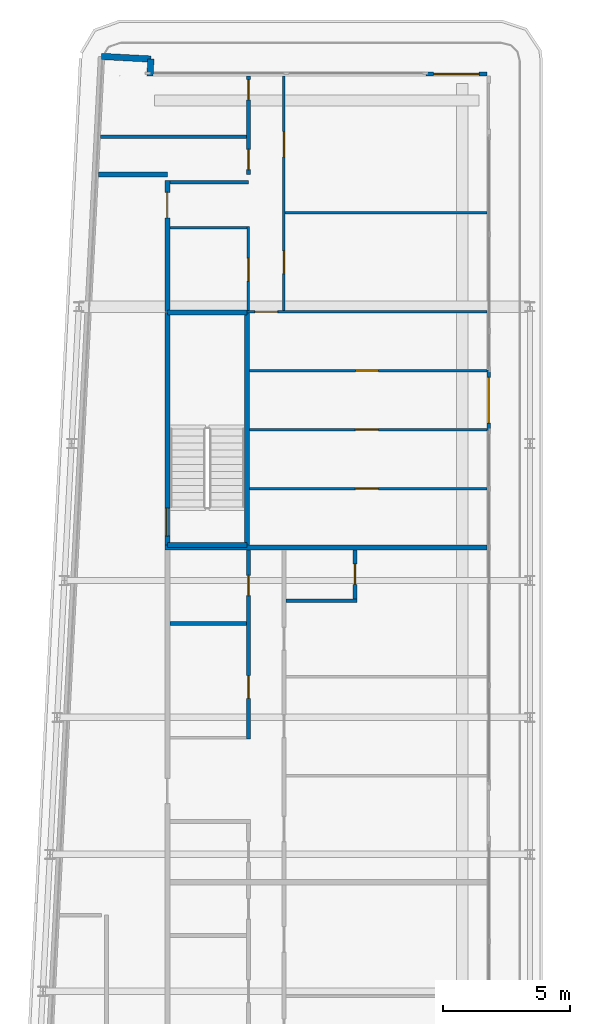
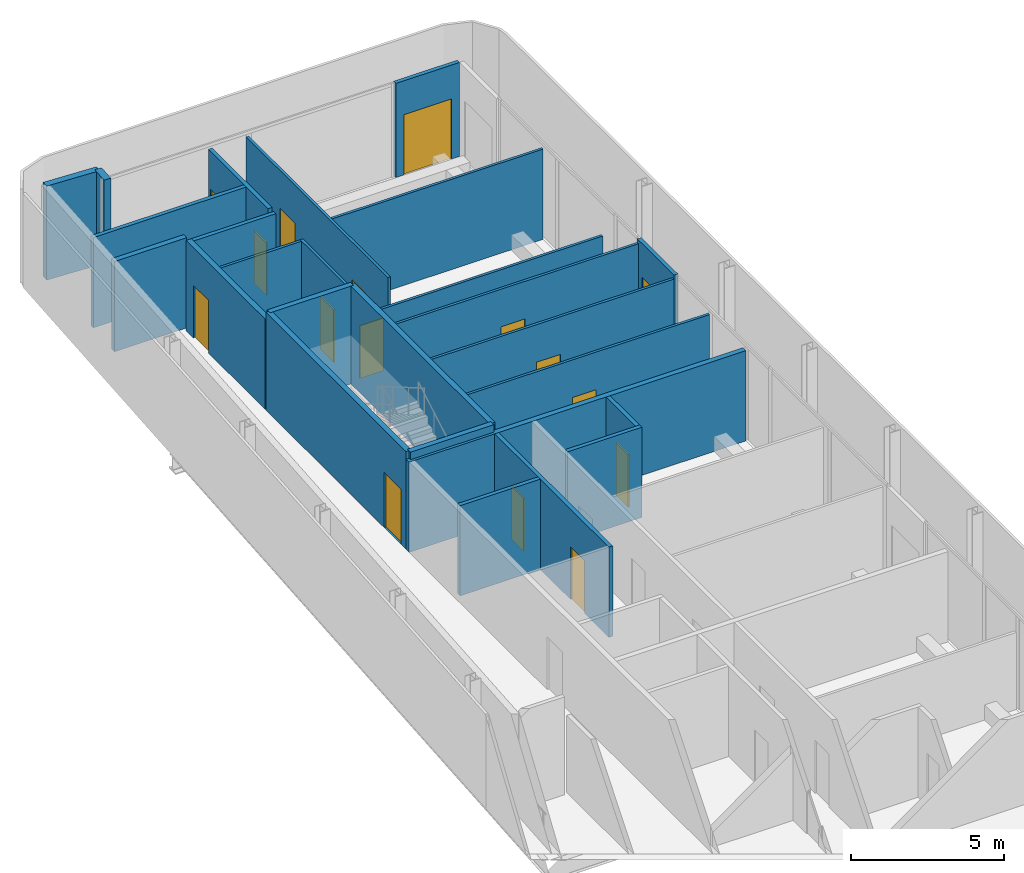
# One storey, part 14 of 21: 26 walls, 16 doors, 16 openings.
"""IFC4 building model written with IfcOpenShell, lengths in metres."""

from ifc_helpers import new_model, si_unit, direction, frame, frame_2d, origin, place, context, subcontext, project, spatial, rectangle, extrude, source, transform, mapped, material, layer, layer_set, type_object, element, fill, save


model = new_model("IFC4")

# Units and contexts
model_context = context("Model", 3, precision=1e-05, world=origin(), true_north=direction((0.0, 1.0)))
body_context = subcontext(model_context, "Body", "Model", "MODEL_VIEW")
ifc_project = project(units=[si_unit("LENGTHUNIT", "METRE"), si_unit("AREAUNIT", "SQUARE_METRE"), si_unit("VOLUMEUNIT", "CUBIC_METRE"), si_unit("PLANEANGLEUNIT", "RADIAN"), si_unit("MASSUNIT", "GRAM", prefix="KILO")], contexts=[model_context])

# Site, building, storey
site_placement = place(None, origin())
site = spatial("IfcSite", under=ifc_project, at=site_placement, CompositionType="ELEMENT")
building_placement = place(site_placement, origin())
building = spatial("IfcBuilding", under=site, at=building_placement, Name="Kheshtan School and Residences Tower", CompositionType="ELEMENT")
storey_placement = place(building_placement, frame((0.0, 0.0, 298.10009765625)))
storey = spatial("IfcBuildingStorey", under=building, at=storey_placement, Name="L70", CompositionType="ELEMENT", Elevation=298.10009765625)

# Wall
ifc_material_1 = material(Name="Gypsum board on steel studs with fire boards", Category="steel")
ifc_layer_1 = layer(ifc_material_1, 0.199951171875)
ifc_layer_set_1 = layer_set([ifc_layer_1], Name="Corridor wall 200")
wall_type_1 = type_object("IfcWallType", Name="Corridor wall 200", PredefinedType="PARTITIONING", material=ifc_layer_set_1)
wall_1_placement = place(storey_placement, frame((30.584716796875, 94.0, 0.0), z_axis=(0.0, 0.0, 1.0), x_axis=(1.0, 0.0, 0.0)))
element("IfcWall", 1, at=wall_1_placement, inside=storey, type_object=wall_type_1, Name="Partition L70-002", PredefinedType="PARTITIONING", context=body_context, shape_type="SweptSolid", body=[
    extrude(rectangle(XDim=2.71533203125, YDim=0.199951171875, at=frame_2d((1.357666015625, 0.0))), origin(), (0.0, 0.0, 1.0), 3.599853515625),
])

# Wall, opening, door
wall_2_placement = place(storey_placement, frame((33.300048828125, 88.60009765625, 0.0), z_axis=(0.0, 0.0, 1.0), x_axis=(0.0, 1.0, 0.0)))
wall_2 = element("IfcWall", 2, at=wall_2_placement, inside=storey, type_object=wall_type_1, Name="Partition L70-005", PredefinedType="PARTITIONING", context=body_context, shape_type="SweptSolid", body=[
    extrude(rectangle(XDim=5.1748046875, YDim=0.199951171875, at=frame_2d((2.58740234375, 0.0))), origin(), (0.0, 0.0, 1.0), 3.599853515625),
])
opening_1_placement = place(wall_2_placement, frame((3.699951171875, 0.0, 0.0)))
opening_1 = element("IfcOpeningElement", 3, at=opening_1_placement, cuts=wall_2, Name="Opening D70-028", PredefinedType="OPENING", context=body_context, shape_type="SweptSolid", body=[
    extrude(rectangle(XDim=1.0, YDim=2.10009765625, at=frame_2d((0.5, 1.050048828125))), frame((0.0, 0.10986328125, 0.0), z_axis=(0.0, -1.0, 0.0), x_axis=(1.0, 0.0, 0.0)), (0.0, 0.0, 1.0), 0.219970703125),
])
ifc_material_2 = material(Name="Steel-framed fire-resisting door leaf", Category="steel")
door_type_1 = type_object("IfcDoorType", Name="Fire door FD30S 1000 x 2100", OperationType="SINGLE_SWING_LEFT", PredefinedType="DOOR", material=ifc_material_2)
shared_shape_1 = source(origin(), body_context, "Body", "SweptSolid", [
    extrude(rectangle(XDim=1.0, YDim=2.10009765625, at=frame_2d((0.5, 1.050048828125))), frame((0.0, 0.02490234375, 0.0), z_axis=(0.0, -1.0, 0.0), x_axis=(1.0, 0.0, 0.0)), (0.0, 0.0, 1.0), 0.050048828125),
])
door_1_placement = place(opening_1_placement, origin())
door_1 = element("IfcDoor", 4, at=door_1_placement, inside=storey, type_object=door_type_1, Name="Door D70-028", OperationType="SINGLE_SWING_RIGHT", OverallHeight=2.10009765625, OverallWidth=1.0, PredefinedType="DOOR", context=body_context, shape_type="MappedRepresentation", body=[
    mapped(shared_shape_1, transform((0.0, 0.0, 0.0), x_axis=(1.0, 0.0, 0.0), y_axis=(0.0, 1.0, 0.0), z_axis=(0.0, 0.0, 1.0), scale=1.0)),
])
fill(opening_1, door_1)

# Walls
ifc_material_3 = material(Name="Concrete C40/50 with ceramic cladding and mineral wool insulation", Category="concrete")
ifc_layer_2 = layer(ifc_material_3, 0.25)
ifc_layer_set_2 = layer_set([ifc_layer_2], Name="External wall 250 ceramic clad")
wall_type_2 = type_object("IfcWallType", Name="External wall 250 ceramic clad", PredefinedType="SOLIDWALL", material=ifc_layer_set_2)
wall_3_placement = place(storey_placement, frame((30.705078125, 98.6640625, 0.0), z_axis=(0.0, 0.0, 1.0), x_axis=(0.998577785791, -0.053314216913, 0.0)))
element("IfcWall", 5, at=wall_3_placement, inside=storey, type_object=wall_type_2, Name="External wall L70 5", PredefinedType="SOLIDWALL", context=body_context, shape_type="SweptSolid", body=[
    extrude(rectangle(XDim=1.95068359375, YDim=0.25, at=frame_2d((0.975341796875, 0.0))), origin(), (0.0, 0.0, 1.0), 3.75),
])
wall_4_placement = place(storey_placement, frame((32.653076171875, 98.56005859375, 0.0), z_axis=(0.0, 0.0, 1.0), x_axis=(-0.054093451632, -0.998535877418, 0.0)))
element("IfcWall", 6, at=wall_4_placement, inside=storey, type_object=wall_type_2, Name="External wall L70 6", PredefinedType="SOLIDWALL", context=body_context, shape_type="SweptSolid", body=[
    extrude(rectangle(XDim=0.66796875, YDim=0.25, at=frame_2d((0.333984375, 0.0))), origin(), (0.0, 0.0, 1.0), 3.75),
])

# Wall, opening, door
ifc_material_4 = material(Name="Aluminium frame wall with insulated infill", Category="aluminium")
ifc_layer_3 = layer(ifc_material_4, 0.14990234375)
ifc_layer_set_3 = layer_set([ifc_layer_3], Name="Glazing frame wall 150")
wall_type_3 = type_object("IfcWallType", Name="Glazing frame wall 150", PredefinedType="SOLIDWALL", material=ifc_layer_set_3)
wall_5_placement = place(storey_placement, frame((43.5, 97.97509765625, 0.0), z_axis=(0.0, 0.0, 1.0), x_axis=(1.0, 0.0, 0.0)))
wall_5 = element("IfcWall", 7, at=wall_5_placement, inside=storey, type_object=wall_type_3, Name="Balcony door wall L70 7.1", PredefinedType="SOLIDWALL", context=body_context, shape_type="SweptSolid", body=[
    extrude(rectangle(XDim=2.39990234375, YDim=0.14990234375, at=frame_2d((1.199951171875, 0.0))), origin(), (0.0, 0.0, 1.0), 3.75),
])
opening_2_placement = place(wall_5_placement, frame((0.300048828125, 0.0, 0.0)))
opening_2 = element("IfcOpeningElement", 8, at=opening_2_placement, cuts=wall_5, Name="Opening BD", PredefinedType="OPENING", context=body_context, shape_type="SweptSolid", body=[
    extrude(rectangle(XDim=1.800048828125, YDim=2.39990234375, at=frame_2d((0.89990234375, 1.199951171875))), frame((0.0, 0.0849609375, 0.0), z_axis=(0.0, -1.0, 0.0), x_axis=(1.0, 0.0, 0.0)), (0.0, 0.0, 1.0), 0.169921875),
])
ifc_material_5 = material(Name="Clear low-e glass in thermally broken aluminium frame", Category="aluminium")
door_type_2 = type_object("IfcDoorType", Name="Balcony sliding door", OperationType="SLIDING_TO_LEFT", PredefinedType="DOOR", material=ifc_material_5)
shared_shape_2 = source(origin(), body_context, "Body", "SweptSolid", [
    extrude(rectangle(XDim=1.800048828125, YDim=2.39990234375, at=frame_2d((0.89990234375, 1.199951171875))), frame((0.0, 0.02490234375, 0.0), z_axis=(0.0, -1.0, 0.0), x_axis=(1.0, 0.0, 0.0)), (0.0, 0.0, 1.0), 0.050048828125),
])
door_2_placement = place(opening_2_placement, origin())
door_2 = element("IfcDoor", 9, at=door_2_placement, inside=storey, type_object=door_type_2, Name="Balcony door L70 7.1", OperationType="SLIDING_TO_LEFT", OverallHeight=2.39990234375, OverallWidth=1.800048828125, PredefinedType="DOOR", context=body_context, shape_type="MappedRepresentation", body=[
    mapped(shared_shape_2, transform((0.0, 0.0, 0.0), x_axis=(1.0, 0.0, 0.0), y_axis=(0.0, 1.0, 0.0), z_axis=(0.0, 0.0, 1.0), scale=1.0)),
])
fill(opening_2, door_2)

wall_6_placement = place(storey_placement, frame((45.97509765625, 86.305908203125, 0.0), z_axis=(0.0, 0.0, 1.0), x_axis=(0.0, -1.0, 0.0)))
wall_6 = element("IfcWall", 10, at=wall_6_placement, inside=storey, type_object=wall_type_3, Name="Balcony door wall L70 8.2", PredefinedType="SOLIDWALL", context=body_context, shape_type="SweptSolid", body=[
    extrude(rectangle(XDim=2.39990234375, YDim=0.14990234375, at=frame_2d((1.199951171875, 0.0))), origin(), (0.0, 0.0, 1.0), 3.75),
])
opening_3_placement = place(wall_6_placement, frame((0.300048828125, 0.0, 0.0)))
opening_3 = element("IfcOpeningElement", 11, at=opening_3_placement, cuts=wall_6, Name="Opening BD", PredefinedType="OPENING", context=body_context, shape_type="SweptSolid", body=[
    extrude(rectangle(XDim=1.800048828125, YDim=2.39990234375, at=frame_2d((0.89990234375, 1.199951171875))), frame((0.0, 0.0849609375, 0.0), z_axis=(0.0, -1.0, 0.0), x_axis=(1.0, 0.0, 0.0)), (0.0, 0.0, 1.0), 0.169921875),
])
door_3_placement = place(opening_3_placement, origin())
door_3 = element("IfcDoor", 12, at=door_3_placement, inside=storey, type_object=door_type_2, Name="Balcony door L70 8.2", OperationType="SLIDING_TO_LEFT", OverallHeight=2.39990234375, OverallWidth=1.800048828125, PredefinedType="DOOR", context=body_context, shape_type="MappedRepresentation", body=[
    mapped(shared_shape_2, transform((0.0, 0.0, 0.0), x_axis=(1.0, 0.0, 0.0), y_axis=(0.0, 1.0, 0.0), z_axis=(0.0, 0.0, 1.0), scale=1.0)),
])
fill(opening_3, door_3)

# Wall
ifc_material_6 = material(Name="Gypsum board on steel studs", Category="steel")
ifc_layer_4 = layer(ifc_material_6, 0.10009765625)
ifc_layer_set_4 = layer_set([ifc_layer_4], Name="Gypsum partition 100")
wall_type_4 = type_object("IfcWallType", Name="Gypsum partition 100", PredefinedType="PARTITIONING", material=ifc_layer_set_4)
wall_7_placement = place(storey_placement, frame((33.39990234375, 91.89990234375, 0.0), z_axis=(0.0, 0.0, 1.0), x_axis=(1.0, 0.0, 0.0)))
element("IfcWall", 13, at=wall_7_placement, inside=storey, type_object=wall_type_4, Name="Partition L70-014", PredefinedType="PARTITIONING", context=body_context, shape_type="SweptSolid", body=[
    extrude(rectangle(XDim=3.050048828125, YDim=0.10009765625, at=frame_2d((1.52490234375, 0.0))), origin(), (0.0, 0.0, 1.0), 3.599853515625),
])

# Wall, opening, door
wall_8_placement = place(storey_placement, frame((36.449951171875, 88.60009765625, 0.0), z_axis=(0.0, 0.0, 1.0), x_axis=(1.0, 0.0, 0.0)))
wall_8 = element("IfcWall", 14, at=wall_8_placement, inside=storey, type_object=wall_type_4, Name="Partition L70-018", PredefinedType="PARTITIONING", context=body_context, shape_type="SweptSolid", body=[
    extrude(rectangle(XDim=9.449951171875, YDim=0.10009765625, at=frame_2d((4.72509765625, 0.0))), origin(), (0.0, 0.0, 1.0), 2.5),
])
opening_4_placement = place(wall_8_placement, frame((0.300048828125, 0.0, 0.0)))
opening_4 = element("IfcOpeningElement", 15, at=opening_4_placement, cuts=wall_8, Name="Opening D70-032", PredefinedType="OPENING", context=body_context, shape_type="SweptSolid", body=[
    extrude(rectangle(XDim=0.89990234375, YDim=2.10009765625, at=frame_2d((0.449951171875, 1.050048828125))), frame((0.0, 0.06005859375, 0.0), z_axis=(0.0, -1.0, 0.0), x_axis=(1.0, 0.0, 0.0)), (0.0, 0.0, 1.0), 0.1201171875),
])
ifc_material_7 = material(Name="Veneered timber door leaf", Category="wood")
door_type_3 = type_object("IfcDoorType", Name="Door 900 x 2100", OperationType="SINGLE_SWING_LEFT", PredefinedType="DOOR", material=ifc_material_7)
shared_shape_3 = source(origin(), body_context, "Body", "SweptSolid", [
    extrude(rectangle(XDim=0.89990234375, YDim=2.10009765625, at=frame_2d((0.449951171875, 1.050048828125))), frame((0.0, 0.02490234375, 0.0), z_axis=(0.0, -1.0, 0.0), x_axis=(1.0, 0.0, 0.0)), (0.0, 0.0, 1.0), 0.050048828125),
])
door_4_placement = place(opening_4_placement, origin())
door_4 = element("IfcDoor", 16, at=door_4_placement, inside=storey, type_object=door_type_3, Name="Door D70-032", OperationType="SINGLE_SWING_LEFT", OverallHeight=2.10009765625, OverallWidth=0.89990234375, PredefinedType="DOOR", context=body_context, shape_type="MappedRepresentation", body=[
    mapped(shared_shape_3, transform((0.0, 0.0, 0.0), x_axis=(1.0, 0.0, 0.0), y_axis=(0.0, 1.0, 0.0), z_axis=(0.0, 0.0, 1.0), scale=1.0)),
])
fill(opening_4, door_4)

wall_9_placement = place(storey_placement, frame((36.5, 88.64990234375, 0.0), z_axis=(0.0, 0.0, 1.0), x_axis=(0.0, 1.0, 0.0)))
wall_9 = element("IfcWall", 17, at=wall_9_placement, inside=storey, type_object=wall_type_4, Name="Partition L70-022", PredefinedType="PARTITIONING", context=body_context, shape_type="SweptSolid", body=[
    extrude(rectangle(XDim=3.300048828125, YDim=0.10009765625, at=frame_2d((1.64990234375, 0.0))), origin(), (0.0, 0.0, 1.0), 3.599853515625),
])
opening_5_placement = place(wall_9_placement, frame((1.14990234375, 0.0, 0.0)))
opening_5 = element("IfcOpeningElement", 18, at=opening_5_placement, cuts=wall_9, Name="Opening D70-029", PredefinedType="OPENING", context=body_context, shape_type="SweptSolid", body=[
    extrude(rectangle(XDim=0.89990234375, YDim=2.10009765625, at=frame_2d((0.449951171875, 1.050048828125))), frame((0.0, 0.06005859375, 0.0), z_axis=(0.0, -1.0, 0.0), x_axis=(1.0, 0.0, 0.0)), (0.0, 0.0, 1.0), 0.1201171875),
])
door_5_placement = place(opening_5_placement, origin())
door_5 = element("IfcDoor", 19, at=door_5_placement, inside=storey, type_object=door_type_3, Name="Door D70-029", OperationType="SINGLE_SWING_RIGHT", OverallHeight=2.10009765625, OverallWidth=0.89990234375, PredefinedType="DOOR", context=body_context, shape_type="MappedRepresentation", body=[
    mapped(shared_shape_3, transform((0.0, 0.0, 0.0), x_axis=(1.0, 0.0, 0.0), y_axis=(0.0, 1.0, 0.0), z_axis=(0.0, 0.0, 1.0), scale=1.0)),
])
fill(opening_5, door_5)

wall_10_placement = place(storey_placement, frame((36.549072265625, 81.625, 0.0), z_axis=(0.0, 0.0, 1.0), x_axis=(1.0, 0.0, 0.0)))
wall_10 = element("IfcWall", 20, at=wall_10_placement, inside=storey, type_object=wall_type_4, Name="Partition L70-024", PredefinedType="PARTITIONING", context=body_context, shape_type="SweptSolid", body=[
    extrude(rectangle(XDim=9.350830078125, YDim=0.10009765625, at=frame_2d((4.67529296875, 0.0))), origin(), (0.0, 0.0, 1.0), 3.599853515625),
])
opening_6_placement = place(wall_10_placement, frame((4.1708984375, 0.0, 0.0)))
opening_6 = element("IfcOpeningElement", 21, at=opening_6_placement, cuts=wall_10, Name="Opening D70-035", PredefinedType="OPENING", context=body_context, shape_type="SweptSolid", body=[
    extrude(rectangle(XDim=0.89990234375, YDim=2.10009765625, at=frame_2d((0.449951171875, 1.050048828125))), frame((0.0, 0.06005859375, 0.0), z_axis=(0.0, -1.0, 0.0), x_axis=(1.0, 0.0, 0.0)), (0.0, 0.0, 1.0), 0.1201171875),
])
door_6_placement = place(opening_6_placement, origin())
door_6 = element("IfcDoor", 22, at=door_6_placement, inside=storey, type_object=door_type_3, Name="Door D70-035", OperationType="SINGLE_SWING_RIGHT", OverallHeight=2.10009765625, OverallWidth=0.89990234375, PredefinedType="DOOR", context=body_context, shape_type="MappedRepresentation", body=[
    mapped(shared_shape_3, transform((0.0, 0.0, 0.0), x_axis=(1.0, 0.0, 0.0), y_axis=(0.0, 1.0, 0.0), z_axis=(0.0, 0.0, 1.0), scale=1.0)),
])
fill(opening_6, door_6)

wall_11_placement = place(storey_placement, frame((36.549072265625, 83.949951171875, 0.0), z_axis=(0.0, 0.0, 1.0), x_axis=(1.0, 0.0, 0.0)))
wall_11 = element("IfcWall", 23, at=wall_11_placement, inside=storey, type_object=wall_type_4, Name="Partition L70-025", PredefinedType="PARTITIONING", context=body_context, shape_type="SweptSolid", body=[
    extrude(rectangle(XDim=9.350830078125, YDim=0.10009765625, at=frame_2d((4.67529296875, 0.0))), origin(), (0.0, 0.0, 1.0), 3.599853515625),
])
opening_7_placement = place(wall_11_placement, frame((4.1708984375, 0.0, 0.0)))
opening_7 = element("IfcOpeningElement", 24, at=opening_7_placement, cuts=wall_11, Name="Opening D70-034", PredefinedType="OPENING", context=body_context, shape_type="SweptSolid", body=[
    extrude(rectangle(XDim=0.89990234375, YDim=2.10009765625, at=frame_2d((0.449951171875, 1.050048828125))), frame((0.0, 0.06005859375, 0.0), z_axis=(0.0, -1.0, 0.0), x_axis=(1.0, 0.0, 0.0)), (0.0, 0.0, 1.0), 0.1201171875),
])
door_7_placement = place(opening_7_placement, origin())
door_7 = element("IfcDoor", 25, at=door_7_placement, inside=storey, type_object=door_type_3, Name="Door D70-034", OperationType="SINGLE_SWING_RIGHT", OverallHeight=2.10009765625, OverallWidth=0.89990234375, PredefinedType="DOOR", context=body_context, shape_type="MappedRepresentation", body=[
    mapped(shared_shape_3, transform((0.0, 0.0, 0.0), x_axis=(1.0, 0.0, 0.0), y_axis=(0.0, 1.0, 0.0), z_axis=(0.0, 0.0, 1.0), scale=1.0)),
])
fill(opening_7, door_7)

wall_12_placement = place(storey_placement, frame((36.549072265625, 86.27490234375, 0.0), z_axis=(0.0, 0.0, 1.0), x_axis=(1.0, 0.0, 0.0)))
wall_12 = element("IfcWall", 26, at=wall_12_placement, inside=storey, type_object=wall_type_4, Name="Partition L70-026", PredefinedType="PARTITIONING", context=body_context, shape_type="SweptSolid", body=[
    extrude(rectangle(XDim=9.350830078125, YDim=0.10009765625, at=frame_2d((4.67529296875, 0.0))), origin(), (0.0, 0.0, 1.0), 3.599853515625),
])
opening_8_placement = place(wall_12_placement, frame((4.176025390625, 0.0, 0.0)))
opening_8 = element("IfcOpeningElement", 27, at=opening_8_placement, cuts=wall_12, Name="Opening D70-033", PredefinedType="OPENING", context=body_context, shape_type="SweptSolid", body=[
    extrude(rectangle(XDim=0.89990234375, YDim=2.10009765625, at=frame_2d((0.449951171875, 1.050048828125))), frame((0.0, 0.06005859375, 0.0), z_axis=(0.0, -1.0, 0.0), x_axis=(1.0, 0.0, 0.0)), (0.0, 0.0, 1.0), 0.1201171875),
])
door_8_placement = place(opening_8_placement, origin())
door_8 = element("IfcDoor", 28, at=door_8_placement, inside=storey, type_object=door_type_3, Name="Door D70-033", OperationType="SINGLE_SWING_RIGHT", OverallHeight=2.10009765625, OverallWidth=0.89990234375, PredefinedType="DOOR", context=body_context, shape_type="MappedRepresentation", body=[
    mapped(shared_shape_3, transform((0.0, 0.0, 0.0), x_axis=(1.0, 0.0, 0.0), y_axis=(0.0, 1.0, 0.0), z_axis=(0.0, 0.0, 1.0), scale=1.0)),
])
fill(opening_8, door_8)

# Wall, openings, doors
wall_13_placement = place(storey_placement, frame((37.89990234375, 88.64990234375, 0.0), z_axis=(0.0, 0.0, 1.0), x_axis=(0.0, 1.0, 0.0)))
wall_13 = element("IfcWall", 29, at=wall_13_placement, inside=storey, type_object=wall_type_4, Name="Partition L70-029", PredefinedType="PARTITIONING", context=body_context, shape_type="SweptSolid", body=[
    extrude(rectangle(XDim=9.25, YDim=0.10009765625, at=frame_2d((4.625, 0.0))), origin(), (0.0, 0.0, 1.0), 3.599853515625),
])
opening_9_placement = place(wall_13_placement, frame((1.449951171875, 0.0, 0.0)))
opening_9 = element("IfcOpeningElement", 30, at=opening_9_placement, cuts=wall_13, Name="Opening D70-027", PredefinedType="OPENING", context=body_context, shape_type="SweptSolid", body=[
    extrude(rectangle(XDim=0.89990234375, YDim=2.10009765625, at=frame_2d((0.449951171875, 1.050048828125))), frame((0.0, 0.06005859375, 0.0), z_axis=(0.0, -1.0, 0.0), x_axis=(1.0, 0.0, 0.0)), (0.0, 0.0, 1.0), 0.1201171875),
])
opening_10_placement = place(wall_13_placement, frame((6.050048828125, 0.0, 0.0)))
opening_10 = element("IfcOpeningElement", 31, at=opening_10_placement, cuts=wall_13, Name="Opening D70-030", PredefinedType="OPENING", context=body_context, shape_type="SweptSolid", body=[
    extrude(rectangle(XDim=1.0, YDim=2.10009765625, at=frame_2d((0.5, 1.050048828125))), frame((0.0, 0.06005859375, 0.0), z_axis=(0.0, -1.0, 0.0), x_axis=(1.0, 0.0, 0.0)), (0.0, 0.0, 1.0), 0.1201171875),
])
door_type_4 = type_object("IfcDoorType", Name="Door 1000 x 2100", OperationType="SINGLE_SWING_LEFT", PredefinedType="DOOR", material=ifc_material_7)
shared_shape_4 = source(origin(), body_context, "Body", "SweptSolid", [
    extrude(rectangle(XDim=1.0, YDim=2.10009765625, at=frame_2d((0.5, 1.050048828125))), frame((0.0, 0.02490234375, 0.0), z_axis=(0.0, -1.0, 0.0), x_axis=(1.0, 0.0, 0.0)), (0.0, 0.0, 1.0), 0.050048828125),
])
door_9_placement = place(opening_10_placement, origin())
door_9 = element("IfcDoor", 32, at=door_9_placement, inside=storey, type_object=door_type_4, Name="Door D70-030", OperationType="SINGLE_SWING_RIGHT", OverallHeight=2.10009765625, OverallWidth=1.0, PredefinedType="DOOR", context=body_context, shape_type="MappedRepresentation", body=[
    mapped(shared_shape_4, transform((0.0, 0.0, 0.0), x_axis=(1.0, 0.0, 0.0), y_axis=(0.0, 1.0, 0.0), z_axis=(0.0, 0.0, 1.0), scale=1.0)),
])
fill(opening_10, door_9)
door_10_placement = place(opening_9_placement, origin())
door_10 = element("IfcDoor", 33, at=door_10_placement, inside=storey, type_object=door_type_3, Name="Door D70-027", OperationType="SINGLE_SWING_RIGHT", OverallHeight=2.10009765625, OverallWidth=0.89990234375, PredefinedType="DOOR", context=body_context, shape_type="MappedRepresentation", body=[
    mapped(shared_shape_3, transform((0.0, 0.0, 0.0), x_axis=(1.0, 0.0, 0.0), y_axis=(0.0, 1.0, 0.0), z_axis=(0.0, 0.0, 1.0), scale=1.0)),
])
fill(opening_9, door_10)

# Walls
wall_14_placement = place(storey_placement, frame((37.949951171875, 92.5, 0.0), z_axis=(0.0, 0.0, 1.0), x_axis=(1.0, 0.0, 0.0)))
element("IfcWall", 34, at=wall_14_placement, inside=storey, type_object=wall_type_4, Name="Partition L70-030", PredefinedType="PARTITIONING", context=body_context, shape_type="SweptSolid", body=[
    extrude(rectangle(XDim=7.949951171875, YDim=0.10009765625, at=frame_2d((3.97509765625, 0.0))), origin(), (0.0, 0.0, 1.0), 3.599853515625),
])
ifc_material_8 = material(Name="Concrete C40/50", Category="concrete")
ifc_layer_5 = layer(ifc_material_8, 0.199951171875)
ifc_layer_set_5 = layer_set([ifc_layer_5], Name="Stair enclosure wall 200 Concrete C40/50")
wall_type_5 = type_object("IfcWallType", Name="Stair enclosure wall 200 Concrete C40/50", PredefinedType="SHEAR", material=ifc_layer_set_5)
for number, where, z_axis, x_axis, name in (
    (35, (33.300048828125, 79.39990234375, 0.0), (0.0, 0.0, 1.0), (1.0, 0.0, 0.0), "Stair enclosure wall ST3"),
    (36, (33.300048828125, 88.56005859375, 0.0), (0.0, 0.0, 1.0), (1.0, 0.0, 0.0), "Stair enclosure wall ST3"),
):
    element("IfcWall", number, at=place(storey_placement, frame(where, z_axis=z_axis, x_axis=x_axis)), inside=storey, type_object=wall_type_5, Name=name, PredefinedType="SHEAR", context=body_context, shape_type="SweptSolid", body=[
        extrude(rectangle(XDim=3.14990234375, YDim=0.199951171875, at=frame_2d((1.574951171875, 0.0))), origin(), (0.0, 0.0, 1.0), 3.89990234375),
    ])

# Wall, opening, door
wall_15_placement = place(storey_placement, frame((33.300048828125, 79.39990234375, 0.0), z_axis=(0.0, 0.0, 1.0), x_axis=(0.0, 1.0, 0.0)))
wall_15 = element("IfcWall", 37, at=wall_15_placement, inside=storey, type_object=wall_type_5, Name="Stair enclosure wall ST3", PredefinedType="SHEAR", context=body_context, shape_type="SweptSolid", body=[
    extrude(rectangle(XDim=9.16015625, YDim=0.199951171875, at=frame_2d((4.580078125, 0.0))), origin(), (0.0, 0.0, 1.0), 3.89990234375),
])
opening_11_placement = place(wall_15_placement, frame((0.35009765625, 0.0, 0.0)))
opening_11 = element("IfcOpeningElement", 38, at=opening_11_placement, cuts=wall_15, Name="Opening ST3D", PredefinedType="OPENING", context=body_context, shape_type="SweptSolid", body=[
    extrude(rectangle(XDim=1.10009765625, YDim=2.199951171875, at=frame_2d((0.550048828125, 1.10009765625))), frame((0.0, 0.10986328125, 0.0), z_axis=(0.0, -1.0, 0.0), x_axis=(1.0, 0.0, 0.0)), (0.0, 0.0, 1.0), 0.219970703125),
])
ifc_material_9 = material(Name="Steel door leaf, galvanised", Category="steel")
door_type_5 = type_object("IfcDoorType", Name="Stair door 1100 steel 90 min", OperationType="SINGLE_SWING_LEFT", PredefinedType="DOOR", material=ifc_material_9)
shared_shape_5 = source(origin(), body_context, "Body", "SweptSolid", [
    extrude(rectangle(XDim=1.10009765625, YDim=2.199951171875, at=frame_2d((0.550048828125, 1.10009765625))), frame((0.0, 0.02490234375, 0.0), z_axis=(0.0, -1.0, 0.0), x_axis=(1.0, 0.0, 0.0)), (0.0, 0.0, 1.0), 0.050048828125),
])
door_11_placement = place(opening_11_placement, origin())
door_11 = element("IfcDoor", 39, at=door_11_placement, inside=storey, type_object=door_type_5, Name="Stair ST3 door", OperationType="SINGLE_SWING_RIGHT", OverallHeight=2.199951171875, OverallWidth=1.10009765625, PredefinedType="DOOR", context=body_context, shape_type="MappedRepresentation", body=[
    mapped(shared_shape_5, transform((0.0, 0.0, 0.0), x_axis=(1.0, 0.0, 0.0), y_axis=(0.0, 1.0, 0.0), z_axis=(0.0, 0.0, 1.0), scale=1.0)),
])
fill(opening_11, door_11)

# Walls
wall_16_placement = place(storey_placement, frame((36.449951171875, 79.39990234375, 0.0), z_axis=(0.0, 0.0, 1.0), x_axis=(0.0, 1.0, 0.0)))
element("IfcWall", 40, at=wall_16_placement, inside=storey, type_object=wall_type_5, Name="Stair enclosure wall ST3", PredefinedType="SHEAR", context=body_context, shape_type="SweptSolid", body=[
    extrude(rectangle(XDim=9.16015625, YDim=0.199951171875, at=frame_2d((4.580078125, 0.0))), origin(), (0.0, 0.0, 1.0), 3.89990234375),
])
ifc_material_10 = material(Name="Twin gypsum board on steel studs with mineral wool", Category="steel")
ifc_layer_6 = layer(ifc_material_10, 0.199951171875)
ifc_layer_set_6 = layer_set([ifc_layer_6], Name="Unit demising wall 200")
wall_type_6 = type_object("IfcWallType", Name="Unit demising wall 200", PredefinedType="PARTITIONING", material=ifc_layer_set_6)
wall_17_placement = place(storey_placement, frame((33.199951171875, 79.300048828125, 0.0), z_axis=(0.0, 0.0, 1.0), x_axis=(1.0, 0.0, 0.0)))
element("IfcWall", 41, at=wall_17_placement, inside=storey, type_object=wall_type_6, Name="Partition L70-003", PredefinedType="PARTITIONING", context=body_context, shape_type="SweptSolid", body=[
    extrude(rectangle(XDim=12.699951171875, YDim=0.199951171875, at=frame_2d((6.35009765625, 0.0))), origin(), (0.0, 0.0, 1.0), 3.599853515625),
])
ifc_material_11 = material(Name="Moisture-resistant gypsum board on steel studs", Category="steel")
ifc_layer_7 = layer(ifc_material_11, 0.14990234375)
ifc_layer_set_7 = layer_set([ifc_layer_7], Name="Wet-room partition 150")
wall_type_7 = type_object("IfcWallType", Name="Wet-room partition 150", PredefinedType="PARTITIONING", material=ifc_layer_set_7)
wall_18_placement = place(storey_placement, frame((30.6640625, 95.5, 0.0), z_axis=(0.0, 0.0, 1.0), x_axis=(1.0, 0.0, 0.0)))
element("IfcWall", 42, at=wall_18_placement, inside=storey, type_object=wall_type_7, Name="Partition L70-001", PredefinedType="PARTITIONING", context=body_context, shape_type="SweptSolid", body=[
    extrude(rectangle(XDim=5.760986328125, YDim=0.14990234375, at=frame_2d((2.88037109375, 0.0))), origin(), (0.0, 0.0, 1.0), 3.599853515625),
])
wall_19_placement = place(storey_placement, frame((33.39990234375, 76.300048828125, 0.0), z_axis=(0.0, 0.0, 1.0), x_axis=(1.0, 0.0, 0.0)))
element("IfcWall", 43, at=wall_19_placement, inside=storey, type_object=wall_type_7, Name="Partition L70-013", PredefinedType="PARTITIONING", context=body_context, shape_type="SweptSolid", body=[
    extrude(rectangle(XDim=3.025146484375, YDim=0.14990234375, at=frame_2d((1.5126953125, 0.0))), origin(), (0.0, 0.0, 1.0), 3.599853515625),
])
wall_20_placement = place(storey_placement, frame((33.39990234375, 93.699951171875, 0.0), z_axis=(0.0, 0.0, 1.0), x_axis=(1.0, 0.0, 0.0)))
element("IfcWall", 44, at=wall_20_placement, inside=storey, type_object=wall_type_7, Name="Partition L70-015", PredefinedType="PARTITIONING", context=body_context, shape_type="SweptSolid", body=[
    extrude(rectangle(XDim=3.10009765625, YDim=0.14990234375, at=frame_2d((1.550048828125, 0.0))), origin(), (0.0, 0.0, 1.0), 3.599853515625),
])

# Wall, openings, doors
wall_21_placement = place(storey_placement, frame((36.5, 71.75, 0.0), z_axis=(0.0, 0.0, 1.0), x_axis=(0.0, 1.0, 0.0)))
wall_21 = element("IfcWall", 45, at=wall_21_placement, inside=storey, type_object=wall_type_7, Name="Partition L70-021", PredefinedType="PARTITIONING", context=body_context, shape_type="SweptSolid", body=[
    extrude(rectangle(XDim=7.449951171875, YDim=0.14990234375, at=frame_2d((3.72509765625, 0.0))), origin(), (0.0, 0.0, 1.0), 3.599853515625),
])
opening_12_placement = place(wall_21_placement, frame((5.64990234375, 0.0, 0.0)))
opening_12 = element("IfcOpeningElement", 46, at=opening_12_placement, cuts=wall_21, Name="Opening D70-018", PredefinedType="OPENING", context=body_context, shape_type="SweptSolid", body=[
    extrude(rectangle(XDim=0.800048828125, YDim=2.10009765625, at=frame_2d((0.39990234375, 1.050048828125))), frame((0.0, 0.0849609375, 0.0), z_axis=(0.0, -1.0, 0.0), x_axis=(1.0, 0.0, 0.0)), (0.0, 0.0, 1.0), 0.169921875),
])
opening_13_placement = place(wall_21_placement, frame((1.60009765625, 0.0, 0.0)))
opening_13 = element("IfcOpeningElement", 47, at=opening_13_placement, cuts=wall_21, Name="Opening D70-022", PredefinedType="OPENING", context=body_context, shape_type="SweptSolid", body=[
    extrude(rectangle(XDim=0.89990234375, YDim=2.10009765625, at=frame_2d((0.449951171875, 1.050048828125))), frame((0.0, 0.0849609375, 0.0), z_axis=(0.0, -1.0, 0.0), x_axis=(1.0, 0.0, 0.0)), (0.0, 0.0, 1.0), 0.169921875),
])
door_type_6 = type_object("IfcDoorType", Name="Door 800 x 2100", OperationType="SINGLE_SWING_LEFT", PredefinedType="DOOR", material=ifc_material_7)
shared_shape_6 = source(origin(), body_context, "Body", "SweptSolid", [
    extrude(rectangle(XDim=0.800048828125, YDim=2.10009765625, at=frame_2d((0.39990234375, 1.050048828125))), frame((0.0, 0.02490234375, 0.0), z_axis=(0.0, -1.0, 0.0), x_axis=(1.0, 0.0, 0.0)), (0.0, 0.0, 1.0), 0.050048828125),
])
door_12_placement = place(opening_12_placement, origin())
door_12 = element("IfcDoor", 48, at=door_12_placement, inside=storey, type_object=door_type_6, Name="Door D70-018", OperationType="SINGLE_SWING_RIGHT", OverallHeight=2.10009765625, OverallWidth=0.800048828125, PredefinedType="DOOR", context=body_context, shape_type="MappedRepresentation", body=[
    mapped(shared_shape_6, transform((0.0, 0.0, 0.0), x_axis=(1.0, 0.0, 0.0), y_axis=(0.0, 1.0, 0.0), z_axis=(0.0, 0.0, 1.0), scale=1.0)),
])
fill(opening_12, door_12)
door_13_placement = place(opening_13_placement, origin())
door_13 = element("IfcDoor", 49, at=door_13_placement, inside=storey, type_object=door_type_3, Name="Door D70-022", OperationType="SINGLE_SWING_RIGHT", OverallHeight=2.10009765625, OverallWidth=0.89990234375, PredefinedType="DOOR", context=body_context, shape_type="MappedRepresentation", body=[
    mapped(shared_shape_3, transform((0.0, 0.0, 0.0), x_axis=(1.0, 0.0, 0.0), y_axis=(0.0, 1.0, 0.0), z_axis=(0.0, 0.0, 1.0), scale=1.0)),
])
fill(opening_13, door_13)

wall_22_placement = place(storey_placement, frame((36.5, 94.0, 0.0), z_axis=(0.0, 0.0, 1.0), x_axis=(0.0, 1.0, 0.0)))
wall_22 = element("IfcWall", 50, at=wall_22_placement, inside=storey, type_object=wall_type_7, Name="Partition L70-023", PredefinedType="PARTITIONING", context=body_context, shape_type="SweptSolid", body=[
    extrude(rectangle(XDim=3.89990234375, YDim=0.14990234375, at=frame_2d((1.949951171875, 0.0))), origin(), (0.0, 0.0, 1.0), 3.599853515625),
])
opening_14_placement = place(wall_22_placement, frame((2.949951171875, 0.0, 0.0)))
opening_14 = element("IfcOpeningElement", 51, at=opening_14_placement, cuts=wall_22, Name="Opening D70-026", PredefinedType="OPENING", context=body_context, shape_type="SweptSolid", body=[
    extrude(rectangle(XDim=0.800048828125, YDim=2.10009765625, at=frame_2d((0.39990234375, 1.050048828125))), frame((0.0, 0.0849609375, 0.0), z_axis=(0.0, -1.0, 0.0), x_axis=(1.0, 0.0, 0.0)), (0.0, 0.0, 1.0), 0.169921875),
])
opening_15_placement = place(wall_22_placement, frame((0.199951171875, 0.0, 0.0)))
opening_15 = element("IfcOpeningElement", 52, at=opening_15_placement, cuts=wall_22, Name="Opening D70-031", PredefinedType="OPENING", context=body_context, shape_type="SweptSolid", body=[
    extrude(rectangle(XDim=0.800048828125, YDim=2.10009765625, at=frame_2d((0.39990234375, 1.050048828125))), frame((0.0, 0.0849609375, 0.0), z_axis=(0.0, -1.0, 0.0), x_axis=(1.0, 0.0, 0.0)), (0.0, 0.0, 1.0), 0.169921875),
])
door_14_placement = place(opening_14_placement, origin())
door_14 = element("IfcDoor", 53, at=door_14_placement, inside=storey, type_object=door_type_6, Name="Door D70-026", OperationType="SINGLE_SWING_LEFT", OverallHeight=2.10009765625, OverallWidth=0.800048828125, PredefinedType="DOOR", context=body_context, shape_type="MappedRepresentation", body=[
    mapped(shared_shape_6, transform((0.0, 0.0, 0.0), x_axis=(1.0, 0.0, 0.0), y_axis=(0.0, 1.0, 0.0), z_axis=(0.0, 0.0, 1.0), scale=1.0)),
])
fill(opening_14, door_14)
door_15_placement = place(opening_15_placement, origin())
door_15 = element("IfcDoor", 54, at=door_15_placement, inside=storey, type_object=door_type_6, Name="Door D70-031", OperationType="SINGLE_SWING_RIGHT", OverallHeight=2.10009765625, OverallWidth=0.800048828125, PredefinedType="DOOR", context=body_context, shape_type="MappedRepresentation", body=[
    mapped(shared_shape_6, transform((0.0, 0.0, 0.0), x_axis=(1.0, 0.0, 0.0), y_axis=(0.0, 1.0, 0.0), z_axis=(0.0, 0.0, 1.0), scale=1.0)),
])
fill(opening_15, door_15)

# Wall
wall_23_placement = place(storey_placement, frame((37.97509765625, 77.199951171875, 0.0), z_axis=(0.0, 0.0, 1.0), x_axis=(1.0, 0.0, 0.0)))
element("IfcWall", 55, at=wall_23_placement, inside=storey, type_object=wall_type_7, Name="Partition L70-036", PredefinedType="PARTITIONING", context=body_context, shape_type="SweptSolid", body=[
    extrude(rectangle(XDim=2.7998046875, YDim=0.14990234375, at=frame_2d((1.39990234375, 0.0))), origin(), (0.0, 0.0, 1.0), 3.599853515625),
])

# Wall, opening, door
wall_24_placement = place(storey_placement, frame((40.699951171875, 77.27490234375, 0.0), z_axis=(0.0, 0.0, 1.0), x_axis=(0.0, 1.0, 0.0)))
wall_24 = element("IfcWall", 56, at=wall_24_placement, inside=storey, type_object=wall_type_7, Name="Partition L70-039", PredefinedType="PARTITIONING", context=body_context, shape_type="SweptSolid", body=[
    extrude(rectangle(XDim=1.925048828125, YDim=0.14990234375, at=frame_2d((0.96240234375, 0.0))), origin(), (0.0, 0.0, 1.0), 3.599853515625),
])
opening_16_placement = place(wall_24_placement, frame((0.574951171875, 0.0, 0.0)))
opening_16 = element("IfcOpeningElement", 57, at=opening_16_placement, cuts=wall_24, Name="Opening D70-020", PredefinedType="OPENING", context=body_context, shape_type="SweptSolid", body=[
    extrude(rectangle(XDim=0.800048828125, YDim=2.10009765625, at=frame_2d((0.39990234375, 1.050048828125))), frame((0.0, 0.0849609375, 0.0), z_axis=(0.0, -1.0, 0.0), x_axis=(1.0, 0.0, 0.0)), (0.0, 0.0, 1.0), 0.169921875),
])
door_16_placement = place(opening_16_placement, origin())
door_16 = element("IfcDoor", 58, at=door_16_placement, inside=storey, type_object=door_type_6, Name="Door D70-020", OperationType="SINGLE_SWING_RIGHT", OverallHeight=2.10009765625, OverallWidth=0.800048828125, PredefinedType="DOOR", context=body_context, shape_type="MappedRepresentation", body=[
    mapped(shared_shape_6, transform((0.0, 0.0, 0.0), x_axis=(1.0, 0.0, 0.0), y_axis=(0.0, 1.0, 0.0), z_axis=(0.0, 0.0, 1.0), scale=1.0)),
])
fill(opening_16, door_16)

save(model, "model.ifc")
